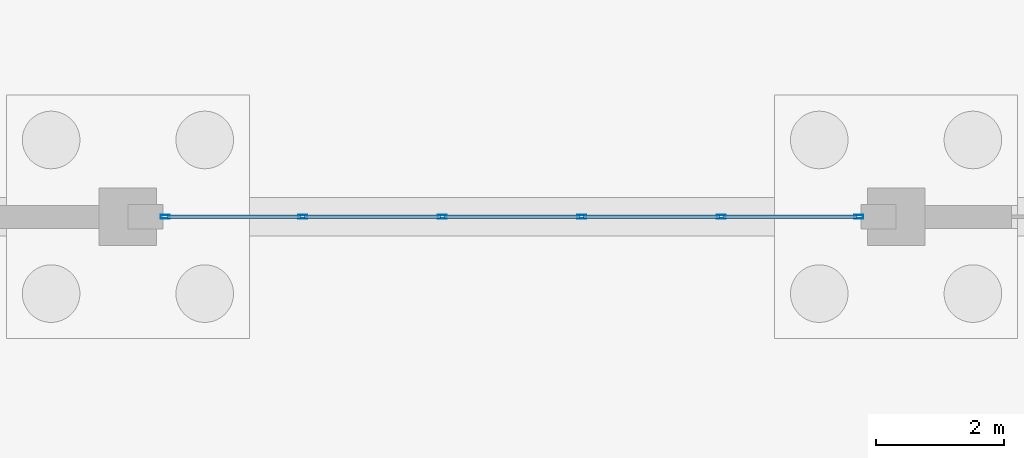
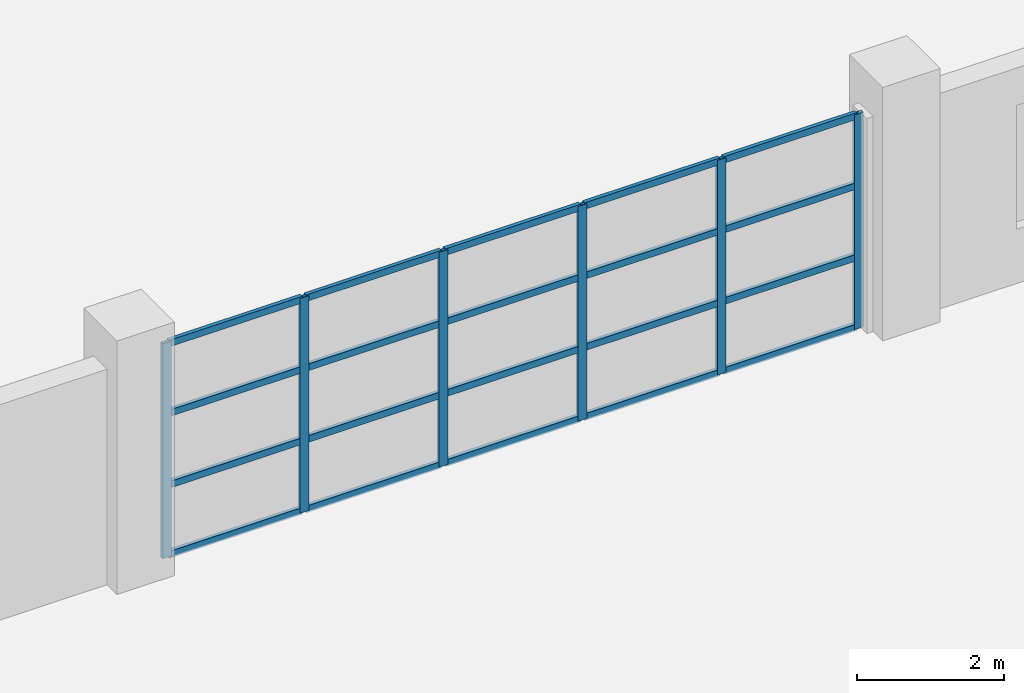
# One storey, part 39 of 77: 26 members, 1 element without a shape of its own.
"""IFC4 building model written with IfcOpenShell, lengths in metres."""

from ifc_helpers import new_model, si_unit, direction, frame, origin, origin_2d, place, context, subcontext, project, spatial, hollow_rectangle, extrude, material, layer, layer_set, material_profile, profile_set, type_object, element, aggregate, save


model = new_model("IFC4")

# Units and contexts
model_context = context("Model", 3, precision=1e-05, world=origin(), true_north=direction((0.0, 1.0)))
body_context = subcontext(model_context, "Body", "Model", "MODEL_VIEW")
ifc_project = project(units=[si_unit("LENGTHUNIT", "METRE"), si_unit("AREAUNIT", "SQUARE_METRE"), si_unit("VOLUMEUNIT", "CUBIC_METRE"), si_unit("PLANEANGLEUNIT", "RADIAN"), si_unit("MASSUNIT", "GRAM", prefix="KILO")], contexts=[model_context])

# Site, building, storey
site_placement = place(None, origin())
site = spatial("IfcSite", under=ifc_project, at=site_placement, CompositionType="ELEMENT")
building_placement = place(site_placement, origin())
building = spatial("IfcBuilding", under=site, at=building_placement, Name="Zilviju Railside Exhibition Hall", CompositionType="ELEMENT")
storey_placement = place(building_placement, origin())
storey = spatial("IfcBuildingStorey", under=building, at=storey_placement, Name="L01", CompositionType="ELEMENT", Elevation=0.0)

# Curtain wall, members
ifc_material_1 = material(Name="Thermally broken aluminium-steel triple-glazed curtain wall", Category="steel")
ifc_layer = layer(ifc_material_1, 0.179931640625)
ifc_layer_set = layer_set([ifc_layer], Name="Thermally broken aluminium-steel triple-glazed curtain wall")
curtain_wall_type = type_object("IfcCurtainWallType", Name="CW-BAY-03", PredefinedType="USERDEFINED", material=ifc_layer_set)
curtain_wall_placement = place(storey_placement, origin())
curtain_wall = element("IfcCurtainWall", 1, at=curtain_wall_placement, inside=storey, type_object=curtain_wall_type, Name="South Hall Garden Court Curtain Wall L01 (156..168)", ObjectType="GLAZED CURTAIN WALL", PredefinedType="USERDEFINED")
ifc_material_2 = material(Name="Thermally broken anodized aluminium mullion", Category="aluminium")
ifc_material_profile_1 = material_profile(ifc_material_2, hollow_rectangle(XDim=0.06005859375, YDim=0.139892578125, WallThickness=0.0048828125, at=origin_2d()), Name="MULLION 140x60x5")
ifc_profile_set_1 = profile_set([ifc_material_profile_1], Name="Thermally broken anodized aluminium mullion")
member_type_1 = type_object("IfcMemberType", Name="CWM-60x140", PredefinedType="MULLION", material=ifc_profile_set_1)
member_1_placement = place(storey_placement, frame((156.580078125, 54.0, 0.0), z_axis=(0.0, 0.0, 1.0), x_axis=(0.0, 1.0, 0.0)))
member_1 = element("IfcMember", 2, at=member_1_placement, type_object=member_type_1, Name="CW-03 mullion 1", PredefinedType="MULLION", context=body_context, shape_type="SweptSolid", body=[
    extrude(hollow_rectangle(XDim=0.06005859375, YDim=0.139892578125, WallThickness=0.0048828125, at=origin_2d()), origin(), (0.0, 0.0, 1.0), 3.56005859375),
])
member_2_placement = place(storey_placement, frame((158.72998046875, 54.0, 0.0), z_axis=(0.0, 0.0, 1.0), x_axis=(0.0, 1.0, 0.0)))
member_2 = element("IfcMember", 3, at=member_2_placement, type_object=member_type_1, Name="CW-03 mullion 2", PredefinedType="MULLION", context=body_context, shape_type="SweptSolid", body=[
    extrude(hollow_rectangle(XDim=0.06005859375, YDim=0.139892578125, WallThickness=0.0048828125, at=origin_2d()), origin(), (0.0, 0.0, 1.0), 3.56005859375),
])
member_3_placement = place(storey_placement, frame((160.909912109375, 54.0, 0.0), z_axis=(0.0, 0.0, 1.0), x_axis=(0.0, 1.0, 0.0)))
member_3 = element("IfcMember", 4, at=member_3_placement, type_object=member_type_1, Name="CW-03 mullion 3", PredefinedType="MULLION", context=body_context, shape_type="SweptSolid", body=[
    extrude(hollow_rectangle(XDim=0.06005859375, YDim=0.139892578125, WallThickness=0.0048828125, at=origin_2d()), origin(), (0.0, 0.0, 1.0), 3.56005859375),
])
member_4_placement = place(storey_placement, frame((163.090087890625, 54.0, 0.0), z_axis=(0.0, 0.0, 1.0), x_axis=(0.0, 1.0, 0.0)))
member_4 = element("IfcMember", 5, at=member_4_placement, type_object=member_type_1, Name="CW-03 mullion 4", PredefinedType="MULLION", context=body_context, shape_type="SweptSolid", body=[
    extrude(hollow_rectangle(XDim=0.06005859375, YDim=0.139892578125, WallThickness=0.0048828125, at=origin_2d()), origin(), (0.0, 0.0, 1.0), 3.56005859375),
])
member_5_placement = place(storey_placement, frame((165.27001953125, 54.0, 0.0), z_axis=(0.0, 0.0, 1.0), x_axis=(0.0, 1.0, 0.0)))
member_5 = element("IfcMember", 6, at=member_5_placement, type_object=member_type_1, Name="CW-03 mullion 5", PredefinedType="MULLION", context=body_context, shape_type="SweptSolid", body=[
    extrude(hollow_rectangle(XDim=0.06005859375, YDim=0.139892578125, WallThickness=0.0048828125, at=origin_2d()), origin(), (0.0, 0.0, 1.0), 3.56005859375),
])
member_6_placement = place(storey_placement, frame((167.419921875, 54.0, 0.0), z_axis=(0.0, 0.0, 1.0), x_axis=(0.0, 1.0, 0.0)))
member_6 = element("IfcMember", 7, at=member_6_placement, type_object=member_type_1, Name="CW-03 mullion 6", PredefinedType="MULLION", context=body_context, shape_type="SweptSolid", body=[
    extrude(hollow_rectangle(XDim=0.06005859375, YDim=0.139892578125, WallThickness=0.0048828125, at=origin_2d()), origin(), (0.0, 0.0, 1.0), 3.56005859375),
])
ifc_material_3 = material(Name="Thermally broken anodized aluminium transom", Category="aluminium")
ifc_material_profile_2 = material_profile(ifc_material_3, hollow_rectangle(XDim=0.06005859375, YDim=0.110107421875, WallThickness=0.0048828125, at=origin_2d()), Name="TRANSOM 110x60x5")
ifc_profile_set_2 = profile_set([ifc_material_profile_2], Name="Thermally broken anodized aluminium transom")
member_type_2 = type_object("IfcMemberType", Name="CWT-60x110", PredefinedType="USERDEFINED", material=ifc_profile_set_2)
member_7_placement = place(storey_placement, frame((156.610107421875, 54.0, 0.030029296875), z_axis=(1.0, 0.0, 0.0), x_axis=(0.0, 1.0, 0.0)))
member_7 = element("IfcMember", 8, at=member_7_placement, type_object=member_type_2, Name="CW-03 transom 1.1", ObjectType="TRANSOM", PredefinedType="USERDEFINED", context=body_context, shape_type="SweptSolid", body=[
    extrude(hollow_rectangle(XDim=0.06005859375, YDim=0.110107421875, WallThickness=0.0048828125, at=origin_2d()), origin(), (0.0, 0.0, 1.0), 2.08984375),
])
member_8_placement = place(storey_placement, frame((156.610107421875, 54.0, 1.18701171875), z_axis=(1.0, 0.0, 0.0), x_axis=(0.0, 1.0, 0.0)))
member_8 = element("IfcMember", 9, at=member_8_placement, type_object=member_type_2, Name="CW-03 transom 1.2", ObjectType="TRANSOM", PredefinedType="USERDEFINED", context=body_context, shape_type="SweptSolid", body=[
    extrude(hollow_rectangle(XDim=0.06005859375, YDim=0.110107421875, WallThickness=0.0048828125, at=origin_2d()), origin(), (0.0, 0.0, 1.0), 2.08984375),
])
member_9_placement = place(storey_placement, frame((156.610107421875, 54.0, 2.373046875), z_axis=(1.0, 0.0, 0.0), x_axis=(0.0, 1.0, 0.0)))
member_9 = element("IfcMember", 10, at=member_9_placement, type_object=member_type_2, Name="CW-03 transom 1.3", ObjectType="TRANSOM", PredefinedType="USERDEFINED", context=body_context, shape_type="SweptSolid", body=[
    extrude(hollow_rectangle(XDim=0.06005859375, YDim=0.110107421875, WallThickness=0.0048828125, at=origin_2d()), origin(), (0.0, 0.0, 1.0), 2.08984375),
])
member_10_placement = place(storey_placement, frame((156.610107421875, 54.0, 3.530029296875), z_axis=(1.0, 0.0, 0.0), x_axis=(0.0, 1.0, 0.0)))
member_10 = element("IfcMember", 11, at=member_10_placement, type_object=member_type_2, Name="CW-03 transom 1.4", ObjectType="TRANSOM", PredefinedType="USERDEFINED", context=body_context, shape_type="SweptSolid", body=[
    extrude(hollow_rectangle(XDim=0.06005859375, YDim=0.110107421875, WallThickness=0.0048828125, at=origin_2d()), origin(), (0.0, 0.0, 1.0), 2.08984375),
])
member_11_placement = place(storey_placement, frame((158.760009765625, 54.0, 0.030029296875), z_axis=(1.0, 0.0, 0.0), x_axis=(0.0, 1.0, 0.0)))
member_11 = element("IfcMember", 12, at=member_11_placement, type_object=member_type_2, Name="CW-03 transom 2.1", ObjectType="TRANSOM", PredefinedType="USERDEFINED", context=body_context, shape_type="SweptSolid", body=[
    extrude(hollow_rectangle(XDim=0.06005859375, YDim=0.110107421875, WallThickness=0.0048828125, at=origin_2d()), origin(), (0.0, 0.0, 1.0), 2.119873046875),
])
member_12_placement = place(storey_placement, frame((158.760009765625, 54.0, 1.18701171875), z_axis=(1.0, 0.0, 0.0), x_axis=(0.0, 1.0, 0.0)))
member_12 = element("IfcMember", 13, at=member_12_placement, type_object=member_type_2, Name="CW-03 transom 2.2", ObjectType="TRANSOM", PredefinedType="USERDEFINED", context=body_context, shape_type="SweptSolid", body=[
    extrude(hollow_rectangle(XDim=0.06005859375, YDim=0.110107421875, WallThickness=0.0048828125, at=origin_2d()), origin(), (0.0, 0.0, 1.0), 2.119873046875),
])
member_13_placement = place(storey_placement, frame((158.760009765625, 54.0, 2.373046875), z_axis=(1.0, 0.0, 0.0), x_axis=(0.0, 1.0, 0.0)))
member_13 = element("IfcMember", 14, at=member_13_placement, type_object=member_type_2, Name="CW-03 transom 2.3", ObjectType="TRANSOM", PredefinedType="USERDEFINED", context=body_context, shape_type="SweptSolid", body=[
    extrude(hollow_rectangle(XDim=0.06005859375, YDim=0.110107421875, WallThickness=0.0048828125, at=origin_2d()), origin(), (0.0, 0.0, 1.0), 2.119873046875),
])
member_14_placement = place(storey_placement, frame((158.760009765625, 54.0, 3.530029296875), z_axis=(1.0, 0.0, 0.0), x_axis=(0.0, 1.0, 0.0)))
member_14 = element("IfcMember", 15, at=member_14_placement, type_object=member_type_2, Name="CW-03 transom 2.4", ObjectType="TRANSOM", PredefinedType="USERDEFINED", context=body_context, shape_type="SweptSolid", body=[
    extrude(hollow_rectangle(XDim=0.06005859375, YDim=0.110107421875, WallThickness=0.0048828125, at=origin_2d()), origin(), (0.0, 0.0, 1.0), 2.119873046875),
])
member_15_placement = place(storey_placement, frame((160.93994140625, 54.0, 0.030029296875), z_axis=(1.0, 0.0, 0.0), x_axis=(0.0, 1.0, 0.0)))
member_15 = element("IfcMember", 16, at=member_15_placement, type_object=member_type_2, Name="CW-03 transom 3.1", ObjectType="TRANSOM", PredefinedType="USERDEFINED", context=body_context, shape_type="SweptSolid", body=[
    extrude(hollow_rectangle(XDim=0.06005859375, YDim=0.110107421875, WallThickness=0.0048828125, at=origin_2d()), origin(), (0.0, 0.0, 1.0), 2.1201171875),
])
member_16_placement = place(storey_placement, frame((160.93994140625, 54.0, 1.18701171875), z_axis=(1.0, 0.0, 0.0), x_axis=(0.0, 1.0, 0.0)))
member_16 = element("IfcMember", 17, at=member_16_placement, type_object=member_type_2, Name="CW-03 transom 3.2", ObjectType="TRANSOM", PredefinedType="USERDEFINED", context=body_context, shape_type="SweptSolid", body=[
    extrude(hollow_rectangle(XDim=0.06005859375, YDim=0.110107421875, WallThickness=0.0048828125, at=origin_2d()), origin(), (0.0, 0.0, 1.0), 2.1201171875),
])
member_17_placement = place(storey_placement, frame((160.93994140625, 54.0, 2.373046875), z_axis=(1.0, 0.0, 0.0), x_axis=(0.0, 1.0, 0.0)))
member_17 = element("IfcMember", 18, at=member_17_placement, type_object=member_type_2, Name="CW-03 transom 3.3", ObjectType="TRANSOM", PredefinedType="USERDEFINED", context=body_context, shape_type="SweptSolid", body=[
    extrude(hollow_rectangle(XDim=0.06005859375, YDim=0.110107421875, WallThickness=0.0048828125, at=origin_2d()), origin(), (0.0, 0.0, 1.0), 2.1201171875),
])
member_18_placement = place(storey_placement, frame((160.93994140625, 54.0, 3.530029296875), z_axis=(1.0, 0.0, 0.0), x_axis=(0.0, 1.0, 0.0)))
member_18 = element("IfcMember", 19, at=member_18_placement, type_object=member_type_2, Name="CW-03 transom 3.4", ObjectType="TRANSOM", PredefinedType="USERDEFINED", context=body_context, shape_type="SweptSolid", body=[
    extrude(hollow_rectangle(XDim=0.06005859375, YDim=0.110107421875, WallThickness=0.0048828125, at=origin_2d()), origin(), (0.0, 0.0, 1.0), 2.1201171875),
])
member_19_placement = place(storey_placement, frame((163.1201171875, 54.0, 0.030029296875), z_axis=(1.0, 0.0, 0.0), x_axis=(0.0, 1.0, 0.0)))
member_19 = element("IfcMember", 20, at=member_19_placement, type_object=member_type_2, Name="CW-03 transom 4.1", ObjectType="TRANSOM", PredefinedType="USERDEFINED", context=body_context, shape_type="SweptSolid", body=[
    extrude(hollow_rectangle(XDim=0.06005859375, YDim=0.110107421875, WallThickness=0.0048828125, at=origin_2d()), origin(), (0.0, 0.0, 1.0), 2.119873046875),
])
member_20_placement = place(storey_placement, frame((163.1201171875, 54.0, 1.18701171875), z_axis=(1.0, 0.0, 0.0), x_axis=(0.0, 1.0, 0.0)))
member_20 = element("IfcMember", 21, at=member_20_placement, type_object=member_type_2, Name="CW-03 transom 4.2", ObjectType="TRANSOM", PredefinedType="USERDEFINED", context=body_context, shape_type="SweptSolid", body=[
    extrude(hollow_rectangle(XDim=0.06005859375, YDim=0.110107421875, WallThickness=0.0048828125, at=origin_2d()), origin(), (0.0, 0.0, 1.0), 2.119873046875),
])
member_21_placement = place(storey_placement, frame((163.1201171875, 54.0, 2.373046875), z_axis=(1.0, 0.0, 0.0), x_axis=(0.0, 1.0, 0.0)))
member_21 = element("IfcMember", 22, at=member_21_placement, type_object=member_type_2, Name="CW-03 transom 4.3", ObjectType="TRANSOM", PredefinedType="USERDEFINED", context=body_context, shape_type="SweptSolid", body=[
    extrude(hollow_rectangle(XDim=0.06005859375, YDim=0.110107421875, WallThickness=0.0048828125, at=origin_2d()), origin(), (0.0, 0.0, 1.0), 2.119873046875),
])
member_22_placement = place(storey_placement, frame((163.1201171875, 54.0, 3.530029296875), z_axis=(1.0, 0.0, 0.0), x_axis=(0.0, 1.0, 0.0)))
member_22 = element("IfcMember", 23, at=member_22_placement, type_object=member_type_2, Name="CW-03 transom 4.4", ObjectType="TRANSOM", PredefinedType="USERDEFINED", context=body_context, shape_type="SweptSolid", body=[
    extrude(hollow_rectangle(XDim=0.06005859375, YDim=0.110107421875, WallThickness=0.0048828125, at=origin_2d()), origin(), (0.0, 0.0, 1.0), 2.119873046875),
])
member_23_placement = place(storey_placement, frame((165.300048828125, 54.0, 0.030029296875), z_axis=(1.0, 0.0, 0.0), x_axis=(0.0, 1.0, 0.0)))
member_23 = element("IfcMember", 24, at=member_23_placement, type_object=member_type_2, Name="CW-03 transom 5.1", ObjectType="TRANSOM", PredefinedType="USERDEFINED", context=body_context, shape_type="SweptSolid", body=[
    extrude(hollow_rectangle(XDim=0.06005859375, YDim=0.110107421875, WallThickness=0.0048828125, at=origin_2d()), origin(), (0.0, 0.0, 1.0), 2.08984375),
])
member_24_placement = place(storey_placement, frame((165.300048828125, 54.0, 1.18701171875), z_axis=(1.0, 0.0, 0.0), x_axis=(0.0, 1.0, 0.0)))
member_24 = element("IfcMember", 25, at=member_24_placement, type_object=member_type_2, Name="CW-03 transom 5.2", ObjectType="TRANSOM", PredefinedType="USERDEFINED", context=body_context, shape_type="SweptSolid", body=[
    extrude(hollow_rectangle(XDim=0.06005859375, YDim=0.110107421875, WallThickness=0.0048828125, at=origin_2d()), origin(), (0.0, 0.0, 1.0), 2.08984375),
])
member_25_placement = place(storey_placement, frame((165.300048828125, 54.0, 2.373046875), z_axis=(1.0, 0.0, 0.0), x_axis=(0.0, 1.0, 0.0)))
member_25 = element("IfcMember", 26, at=member_25_placement, type_object=member_type_2, Name="CW-03 transom 5.3", ObjectType="TRANSOM", PredefinedType="USERDEFINED", context=body_context, shape_type="SweptSolid", body=[
    extrude(hollow_rectangle(XDim=0.06005859375, YDim=0.110107421875, WallThickness=0.0048828125, at=origin_2d()), origin(), (0.0, 0.0, 1.0), 2.08984375),
])
member_26_placement = place(storey_placement, frame((165.300048828125, 54.0, 3.530029296875), z_axis=(1.0, 0.0, 0.0), x_axis=(0.0, 1.0, 0.0)))
member_26 = element("IfcMember", 27, at=member_26_placement, type_object=member_type_2, Name="CW-03 transom 5.4", ObjectType="TRANSOM", PredefinedType="USERDEFINED", context=body_context, shape_type="SweptSolid", body=[
    extrude(hollow_rectangle(XDim=0.06005859375, YDim=0.110107421875, WallThickness=0.0048828125, at=origin_2d()), origin(), (0.0, 0.0, 1.0), 2.08984375),
])
aggregate(curtain_wall, [member_1, member_2, member_3, member_4, member_5, member_6, member_7, member_8, member_9, member_10, member_11, member_12, member_13, member_14, member_15, member_16, member_17, member_18, member_19, member_20, member_21, member_22, member_23, member_24, member_25, member_26])

save(model, "model.ifc")
